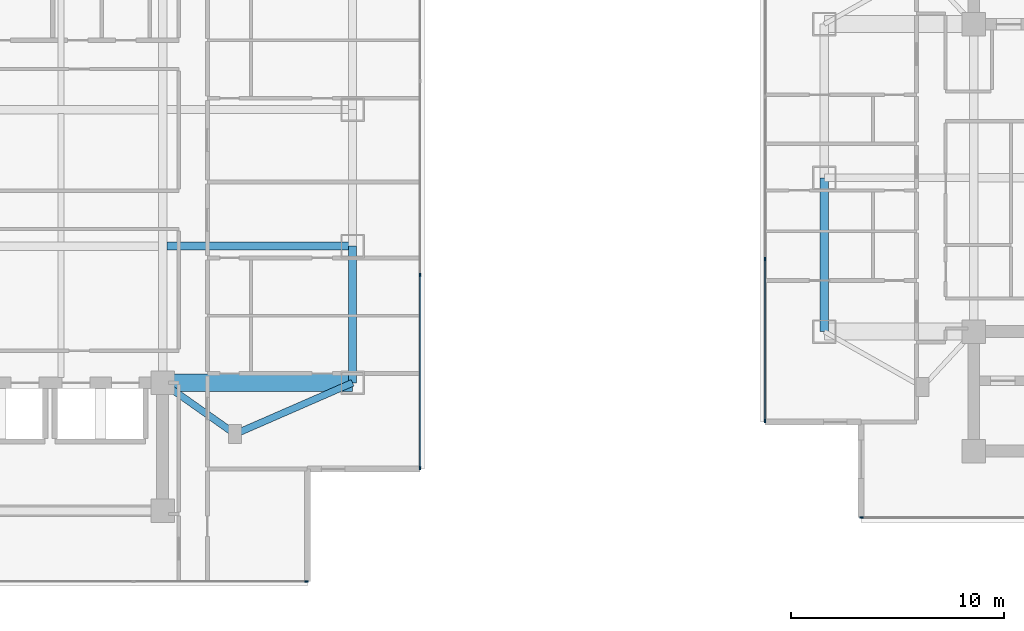
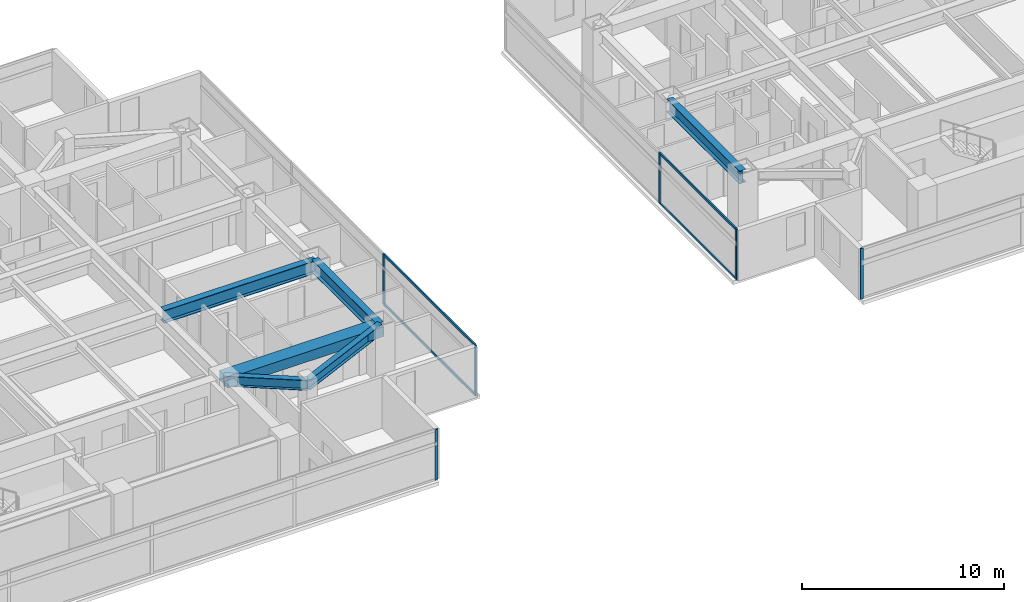
# One storey, part 4 of 24: 10 members, 6 beams, 4 elements without a shape of their own.
"""IFC4 building model written with IfcOpenShell, lengths in metres."""

import ifcopenshell
import ifcopenshell.guid

model = None  # the IFC model being written
_history = None  # IfcOwnerHistory: only IFC2X3 demands one
_inside = {}  # id of a spatial element -> (the spatial element, [elements in it])
_under = {}  # id of a project, library or spatial element -> (it, [spatial elements below it])
_declared = {}  # id of a project -> (the project, [libraries it declares])
_typed = {}  # id of a type object -> (the type object, [elements of that type])
_made_of = {}  # id of a material, layer set ... -> (it, [elements and type objects made of it])


def new_model(schema):
    """Start an empty IFC model of exactly this schema.

    Asked for "IFC4X3", IfcOpenShell would pick the latest addendum, in which some entities
    have other attributes; the version numbers below select the first issue.
    IFC2X3 requires an IfcOwnerHistory on every rooted entity: one is made here for all.
    """
    global model, _history
    if schema == "IFC4X3":
        model = ifcopenshell.file(schema_version=(4, 3, 0, 0))
    else:
        model = ifcopenshell.file(schema=schema)
    _inside.clear()
    _under.clear()
    _declared.clear()
    _typed.clear()
    _made_of.clear()
    _history = None
    if model.schema == "IFC2X3":
        org = make("IfcOrganization", Name="unknown")
        user = make(
            "IfcPersonAndOrganization",
            ThePerson=make("IfcPerson", FamilyName="unknown"),
            TheOrganization=org,
        )
        app = make(
            "IfcApplication",
            ApplicationDeveloper=org,
            Version="unknown",
            ApplicationFullName="unknown",
            ApplicationIdentifier="unknown",
        )
        _history = make(
            "IfcOwnerHistory",
            OwningUser=user,
            OwningApplication=app,
            ChangeAction="ADDED",
            CreationDate=0,
        )
    return model


def make(cls, **values):
    """One entity of the class cls with the attributes given. An attribute that is None is left unset."""
    return model.create_entity(
        cls, **{name: value for name, value in values.items() if value is not None}
    )


def rooted(cls, **values):
    """An entity with a GlobalId (a new one), such as an element, a storey or a relation."""
    return make(cls, GlobalId=ifcopenshell.guid.new(), OwnerHistory=_history, **values)


def si_unit(unit_type, name, prefix=None):
    """IfcSIUnit, for example si_unit("LENGTHUNIT", "METRE", prefix="MILLI")."""
    return make("IfcSIUnit", UnitType=unit_type, Prefix=prefix, Name=name)


def assignment(units):
    """IfcUnitAssignment: the units of a project."""
    return None if units is None else make("IfcUnitAssignment", Units=units)


def point(xyz):
    """IfcCartesianPoint."""
    return None if xyz is None else make("IfcCartesianPoint", Coordinates=xyz)


def direction(xyz):
    """IfcDirection."""
    return None if xyz is None else make("IfcDirection", DirectionRatios=xyz)


def frame(location, z_axis=None, x_axis=None):
    """IfcAxis2Placement3D, a coordinate frame: its origin and axes. An axis left out is left unset."""
    return make(
        "IfcAxis2Placement3D",
        Location=point(location),
        Axis=direction(z_axis),
        RefDirection=direction(x_axis),
    )


def frame_2d(location, x_axis=None):
    """IfcAxis2Placement2D, a coordinate frame in the plane: its origin and x axis."""
    return make(
        "IfcAxis2Placement2D", Location=point(location), RefDirection=direction(x_axis)
    )


def origin():
    """The frame at (0, 0, 0) with its axes left unset."""
    return frame((0.0, 0.0, 0.0))


def origin_2d():
    """The frame at (0, 0) in the plane with its x axis left unset."""
    return frame_2d((0.0, 0.0))


def place(relative_to, where):
    """IfcLocalPlacement: puts the frame where relative to a parent placement (None: the world)."""
    return make(
        "IfcLocalPlacement", PlacementRelTo=relative_to, RelativePlacement=where
    )


def context(
    kind, dimensions, precision=None, world=None, true_north=None, identifier=None
):
    """IfcGeometricRepresentationContext, for example the 3D "Model" context."""
    return make(
        "IfcGeometricRepresentationContext",
        ContextIdentifier=identifier,
        ContextType=kind,
        CoordinateSpaceDimension=dimensions,
        Precision=precision,
        WorldCoordinateSystem=world,
        TrueNorth=true_north,
    )


def subcontext(parent, identifier, kind, view, scale=None):
    """IfcGeometricRepresentationSubContext, for example "Body" below "Model"."""
    return make(
        "IfcGeometricRepresentationSubContext",
        ContextIdentifier=identifier,
        ContextType=kind,
        ParentContext=parent,
        TargetScale=scale,
        TargetView=view,
    )


def project(units=None, contexts=None):
    """IfcProject with its units and contexts."""
    return rooted(
        "IfcProject",
        Name="project",
        RepresentationContexts=contexts,
        UnitsInContext=assignment(units),
    )


def spatial(cls, under=None, at=None, **own):
    """A site, building, storey or space (cls), placed at a placement, below another one or the project."""
    s = rooted(cls, ObjectPlacement=at, **own)
    if under is not None:
        _under.setdefault(under.id(), (under, []))[1].append(s)
    return s


def profile(cls, at=None, kind="AREA", **sizes):
    """A parametric profile (cls). Its sizes go by their IFC names, for example OverallWidth=200.0."""
    return make(cls, ProfileType=kind, Position=at, **sizes)


def rectangle(**sizes):
    """IfcRectangleProfileDef."""
    return profile("IfcRectangleProfileDef", **sizes)


def i_section(**sizes):
    """IfcIShapeProfileDef."""
    return profile("IfcIShapeProfileDef", **sizes)


def extrude(swept, where, along, depth):
    """IfcExtrudedAreaSolid: the profile swept, set in the frame where, extruded along a direction by depth."""
    return make(
        "IfcExtrudedAreaSolid",
        SweptArea=swept,
        Position=where,
        ExtrudedDirection=direction(along),
        Depth=depth,
    )


def shape(context_of_items, identifier, shape_type, items):
    """IfcShapeRepresentation: the items that make up one representation, for example the "Body"."""
    return make(
        "IfcShapeRepresentation",
        ContextOfItems=context_of_items,
        RepresentationIdentifier=identifier,
        RepresentationType=shape_type,
        Items=items,
    )


def material(Name=None, Category=None):
    """IfcMaterial."""
    return make("IfcMaterial", Name=Name, Category=Category)


def material_profile(
    of_material, cross_section, Name=None, Category=None, Priority=None
):
    """IfcMaterialProfile: a cross section and its material."""
    return make(
        "IfcMaterialProfile",
        Name=Name,
        Material=of_material,
        Profile=cross_section,
        Priority=Priority,
        Category=Category,
    )


def profile_set(profiles, Name=None, composite=None):
    """IfcMaterialProfileSet."""
    return make(
        "IfcMaterialProfileSet",
        Name=Name,
        MaterialProfiles=profiles,
        CompositeProfile=composite,
    )


def made_of(thing, what):
    """Note that an element or type object is made of a material, layer set ...; save() writes the relation."""
    if what is not None:
        _made_of.setdefault(what.id(), (what, []))[1].append(thing)
    return thing


def type_object(cls, material=None, **own):
    """A type object (cls), such as IfcWallType, which elements share."""
    return made_of(rooted(cls, **own), material)


def element(
    cls,
    number,
    at=None,
    inside=None,
    cuts=None,
    type_object=None,
    material=None,
    context=None,
    identifier="Body",
    shape_type=None,
    held_by="IfcProductDefinitionShape",
    body=None,
    shapes=None,
    **own,
):
    """One element of the class cls, such as IfcWall. Its Tag is "e" and its number.

    at: its placement. inside: the storey or other place that contains it. cuts: it is an
    opening in that element (IfcRelVoidsElement). A single representation is given by context,
    identifier, shape_type and body (its items); several are given by shapes. held_by: the class
    of the entity that holds the representations. save() writes the other relations.
    """
    e = rooted(cls, Tag="e%d" % number, ObjectPlacement=at, **own)
    if body is not None:
        shapes = [shape(context, identifier, shape_type, body)]
    if shapes is not None:
        e.Representation = make(held_by, Representations=shapes)
    if inside is not None:
        _inside.setdefault(inside.id(), (inside, []))[1].append(e)
    if cuts is not None:
        rooted(
            "IfcRelVoidsElement", RelatingBuildingElement=cuts, RelatedOpeningElement=e
        )
    if type_object is not None:
        _typed.setdefault(type_object.id(), (type_object, []))[1].append(e)
    return made_of(e, material)


def aggregate(whole, parts):
    """IfcRelAggregates: a whole, such as a stair, and the parts it consists of."""
    return rooted("IfcRelAggregates", RelatingObject=whole, RelatedObjects=parts)


def save(model, path):
    """Write the relations noted so far, then the file.

    IfcRelAggregates (storeys below a building ...), IfcRelContainedInSpatialStructure (elements
    in a storey), IfcRelDefinesByType, IfcRelAssociatesMaterial and IfcRelDeclares: one each for
    every whole, place, type object, material and project.
    """
    for whole, parts in _under.values():
        aggregate(whole, parts)
    for where, things in _inside.values():
        rooted(
            "IfcRelContainedInSpatialStructure",
            RelatedElements=things,
            RelatingStructure=where,
        )
    for kind, things in _typed.values():
        rooted("IfcRelDefinesByType", RelatedObjects=things, RelatingType=kind)
    for what, things in _made_of.values():
        rooted("IfcRelAssociatesMaterial", RelatedObjects=things, RelatingMaterial=what)
    for by, libraries in _declared.values():
        rooted("IfcRelDeclares", RelatingContext=by, RelatedDefinitions=libraries)
    model.write(path)


model = new_model("IFC4")

# Units and contexts
model_context = context("Model", 3, precision=1e-05, world=origin(), true_north=direction((0.0, 1.0)))
body_context = subcontext(model_context, "Body", "Model", "MODEL_VIEW")
ifc_project = project(units=[si_unit("LENGTHUNIT", "METRE"), si_unit("AREAUNIT", "SQUARE_METRE"), si_unit("VOLUMEUNIT", "CUBIC_METRE"), si_unit("PLANEANGLEUNIT", "RADIAN"), si_unit("MASSUNIT", "GRAM", prefix="KILO")], contexts=[model_context])

# Site, building, storey
site_placement = place(None, origin())
site = spatial("IfcSite", under=ifc_project, at=site_placement, CompositionType="ELEMENT")
building_placement = place(site_placement, origin())
building = spatial("IfcBuilding", under=site, at=building_placement, Name="Mirazonda Arch Towers", CompositionType="ELEMENT")
storey_placement = place(building_placement, frame((0.0, 0.0, 137.89990234375)))
storey = spatial("IfcBuildingStorey", under=building, at=storey_placement, Name="L39", CompositionType="ELEMENT", Elevation=137.89990234375)

# Beams
ifc_material_1 = material(Name="Steel ASTM A992 Grade 50", Category="steel")
ifc_material_profile_1 = material_profile(ifc_material_1, i_section(OverallWidth=0.381103515625, OverallDepth=0.77294921875, WebThickness=0.0166015625, FlangeThickness=0.027099609375, at=origin_2d()), Name="W30X173")
ifc_profile_set_1 = profile_set([ifc_material_profile_1], Name="Steel ASTM A992 Grade 50")
beam_type_1 = type_object("IfcBeamType", Name="BM-EXT-W30X173", PredefinedType="USERDEFINED", material=ifc_profile_set_1)
beam_1_placement = place(storey_placement, frame((38.89990234375, 18.39990234375, 2.693603515625), z_axis=(0.0, 1.0, 0.0), x_axis=(-1.0, 0.0, 0.0)))
element("IfcBeam", 1, at=beam_1_placement, inside=storey, type_object=beam_type_1, Name="L39 Floor Beam BM-T1-L39-NS-E-18", ObjectType="GIRDER", PredefinedType="USERDEFINED", context=body_context, shape_type="SweptSolid", body=[
    extrude(i_section(OverallWidth=0.381103515625, OverallDepth=0.77294921875, WebThickness=0.0166015625, FlangeThickness=0.027099609375, at=origin_2d()), origin(), (0.0, 0.0, 1.0), 6.400146484375),
])
beam_2_placement = place(storey_placement, frame((61.0, 20.800048828125, 2.693603515625), z_axis=(0.0, 1.0, 0.0), x_axis=(-1.0, 0.0, 0.0)))
element("IfcBeam", 2, at=beam_2_placement, inside=storey, type_object=beam_type_1, Name="L39 Floor Beam BM-T2-L39-NS-W-20", ObjectType="GIRDER", PredefinedType="USERDEFINED", context=body_context, shape_type="SweptSolid", body=[
    extrude(i_section(OverallWidth=0.381103515625, OverallDepth=0.77294921875, WebThickness=0.0166015625, FlangeThickness=0.027099609375, at=origin_2d()), origin(), (0.0, 0.0, 1.0), 7.199951171875),
])
ifc_material_profile_2 = material_profile(ifc_material_1, i_section(OverallWidth=0.324951171875, OverallDepth=0.615966796875, WebThickness=0.013916015625, FlangeThickness=0.021484375, at=origin_2d()), Name="W24X117")
ifc_profile_set_2 = profile_set([ifc_material_profile_2], Name="Steel ASTM A992 Grade 50")
beam_type_2 = type_object("IfcBeamType", Name="BM-INT-W24X117", PredefinedType="BEAM", material=ifc_profile_set_2)
beam_3_placement = place(storey_placement, frame((33.39990234375, 16.0, 2.772216796875), z_axis=(-0.816971114901, 0.576678591087, 0.0), x_axis=(-0.576678591087, -0.816971114901, 0.0)))
element("IfcBeam", 3, at=beam_3_placement, inside=storey, type_object=beam_type_2, Name="L39 Floor Beam BM-T1-L39-PL-SE1", PredefinedType="BEAM", context=body_context, shape_type="SweptSolid", body=[
    extrude(i_section(OverallWidth=0.324951171875, OverallDepth=0.615966796875, WebThickness=0.013916015625, FlangeThickness=0.021484375, at=origin_2d()), origin(), (0.0, 0.0, 1.0), 4.16162109375),
])
beam_4_placement = place(storey_placement, frame((33.39990234375, 16.0, 2.772216796875), z_axis=(0.916545343703, 0.399930785183, 0.0), x_axis=(-0.399930785183, 0.916545343703, 0.0)))
element("IfcBeam", 4, at=beam_4_placement, inside=storey, type_object=beam_type_2, Name="L39 Floor Beam BM-T1-L39-PL-SE2", PredefinedType="BEAM", context=body_context, shape_type="SweptSolid", body=[
    extrude(i_section(OverallWidth=0.324951171875, OverallDepth=0.615966796875, WebThickness=0.013916015625, FlangeThickness=0.021484375, at=origin_2d()), origin(), (0.0, 0.0, 1.0), 6.000732421875),
])
ifc_material_profile_3 = material_profile(ifc_material_1, i_section(OverallWidth=0.381103515625, OverallDepth=0.77294921875, WebThickness=0.0166015625, FlangeThickness=0.027099609375, at=origin_2d()), Name="W30X173")
ifc_profile_set_3 = profile_set([ifc_material_profile_3], Name="Steel ASTM A992 Grade 50")
beam_type_3 = type_object("IfcBeamType", Name="BM-INT-W30X173", PredefinedType="USERDEFINED", material=ifc_profile_set_3)
beam_5_placement = place(storey_placement, frame((30.199951171875, 24.800048828125, 2.693603515625), z_axis=(1.0, 0.0, 0.0), x_axis=(0.0, 1.0, 0.0)))
element("IfcBeam", 5, at=beam_5_placement, inside=storey, type_object=beam_type_3, Name="L39 Floor Beam BM-T1-L39-GE2", ObjectType="GIRDER", PredefinedType="USERDEFINED", context=body_context, shape_type="SweptSolid", body=[
    extrude(i_section(OverallWidth=0.381103515625, OverallDepth=0.77294921875, WebThickness=0.0166015625, FlangeThickness=0.027099609375, at=origin_2d()), origin(), (0.0, 0.0, 1.0), 8.699951171875),
])
ifc_material_2 = material(Name="Concrete C60/75", Category="concrete")
ifc_material_profile_4 = material_profile(ifc_material_2, rectangle(XDim=0.800048828125, YDim=0.60009765625, at=origin_2d()), Name="RCCB800x600")
ifc_profile_set_4 = profile_set([ifc_material_profile_4], Name="Concrete C60/75")
beam_type_4 = type_object("IfcBeamType", Name="CB-INT-RCCB800x600", PredefinedType="SPANDREL", material=ifc_profile_set_4)
beam_6_placement = place(storey_placement, frame((30.0, 18.39990234375, 2.780029296875), z_axis=(1.0, 0.0, 0.0), x_axis=(0.0, 1.0, 0.0)))
element("IfcBeam", 6, at=beam_6_placement, inside=storey, type_object=beam_type_4, Name="L39 Floor Beam CBC-T1-L39-SE", PredefinedType="SPANDREL", context=body_context, shape_type="SweptSolid", body=[
    extrude(rectangle(XDim=0.800048828125, YDim=0.60009765625, at=origin_2d()), origin(), (0.0, 0.0, 1.0), 8.89990234375),
])

# Curtain wall, member
ifc_material_3 = material(Name="Anodised Aluminium and Low-E Glass", Category="aluminium")
curtain_wall_type = type_object("IfcCurtainWallType", Name="CW-HTL-UNIT", PredefinedType="NOTDEFINED", material=ifc_material_3)
curtain_wall_1_placement = place(storey_placement, origin())
curtain_wall_1 = element("IfcCurtainWall", 7, at=curtain_wall_1_placement, inside=storey, type_object=curtain_wall_type, Name="L39 T1 S Facade CW-L39-T1-S", PredefinedType="NOTDEFINED")
ifc_material_4 = material(Name="Anodised Aluminium Alloy", Category="aluminium")
ifc_material_profile_5 = material_profile(ifc_material_4, rectangle(XDim=0.074951171875, YDim=0.1650390625, at=origin_2d()), Name="ALU-MULL-75x165")
ifc_profile_set_5 = profile_set([ifc_material_profile_5], Name="Anodised Aluminium Alloy")
member_type_1 = type_object("IfcMemberType", Name="MULL-CW-HTL-UNIT", PredefinedType="MULLION", material=ifc_profile_set_5)
member_1_placement = place(storey_placement, frame((36.75244140625, 9.092041015625, 0.0), z_axis=(0.0, 0.0, 1.0), x_axis=(0.0, -1.0, 0.0)))
member_1 = element("IfcMember", 8, at=member_1_placement, type_object=member_type_1, Name="CW-112 mullion 1", PredefinedType="MULLION", context=body_context, shape_type="SweptSolid", body=[
    extrude(rectangle(XDim=0.074951171875, YDim=0.1650390625, at=origin_2d()), origin(), (0.0, 0.0, 1.0), 3.06005859375),
])
aggregate(curtain_wall_1, [member_1])

# Curtain wall, members
curtain_wall_2_placement = place(storey_placement, origin())
curtain_wall_2 = element("IfcCurtainWall", 9, at=curtain_wall_2_placement, inside=storey, type_object=curtain_wall_type, Name="L39 T1 E Facade CW-L39-T1-E", PredefinedType="NOTDEFINED")
member_2_placement = place(storey_placement, frame((42.06005859375, 14.3994140625, 0.0), z_axis=(0.0, 0.0, 1.0), x_axis=(-1.0, 0.0, 0.0)))
member_2 = element("IfcMember", 10, at=member_2_placement, type_object=member_type_1, Name="CW-112 mullion 1", PredefinedType="MULLION", context=body_context, shape_type="SweptSolid", body=[
    extrude(rectangle(XDim=0.074951171875, YDim=0.1650390625, at=origin_2d()), origin(), (0.0, 0.0, 1.0), 3.06005859375),
])
member_3_placement = place(storey_placement, frame((42.06005859375, 23.4541015625, 0.0), z_axis=(0.0, 0.0, 1.0), x_axis=(-1.0, 0.0, 0.0)))
member_3 = element("IfcMember", 11, at=member_3_placement, type_object=member_type_1, Name="CW-112 mullion 2", PredefinedType="MULLION", context=body_context, shape_type="SweptSolid", body=[
    extrude(rectangle(XDim=0.074951171875, YDim=0.1650390625, at=origin_2d()), origin(), (0.0, 0.0, 1.0), 3.06005859375),
])

# Curtain wall, member
curtain_wall_3_placement = place(storey_placement, origin())
curtain_wall_3 = element("IfcCurtainWall", 12, at=curtain_wall_3_placement, inside=storey, type_object=curtain_wall_type, Name="L39 T2 S Facade CW-L39-T2-S", PredefinedType="NOTDEFINED")
member_4_placement = place(storey_placement, frame((62.7509765625, 12.081298828125, 0.0), z_axis=(0.0, 0.0, 1.0), x_axis=(0.0, -1.0, 0.0)))
member_4 = element("IfcMember", 13, at=member_4_placement, type_object=member_type_1, Name="CW-112 mullion 4", PredefinedType="MULLION", context=body_context, shape_type="SweptSolid", body=[
    extrude(rectangle(XDim=0.074951171875, YDim=0.1650390625, at=origin_2d()), origin(), (0.0, 0.0, 1.0), 3.06005859375),
])
aggregate(curtain_wall_3, [member_4])

# Curtain wall, members
curtain_wall_4_placement = place(storey_placement, origin())
curtain_wall_4 = element("IfcCurtainWall", 14, at=curtain_wall_4_placement, inside=storey, type_object=curtain_wall_type, Name="L39 T2 W Facade CW-L39-T2-W", PredefinedType="NOTDEFINED")
member_5_placement = place(storey_placement, frame((58.22705078125, 24.189208984375, 0.0), z_axis=(0.0, 0.0, 1.0), x_axis=(1.0, 0.0, 0.0)))
member_5 = element("IfcMember", 15, at=member_5_placement, type_object=member_type_1, Name="CW-112 mullion 3", PredefinedType="MULLION", context=body_context, shape_type="SweptSolid", body=[
    extrude(rectangle(XDim=0.074951171875, YDim=0.1650390625, at=origin_2d()), origin(), (0.0, 0.0, 1.0), 3.06005859375),
])
member_6_placement = place(storey_placement, frame((58.22705078125, 16.605224609375, 0.0), z_axis=(0.0, 0.0, 1.0), x_axis=(1.0, 0.0, 0.0)))
member_6 = element("IfcMember", 16, at=member_6_placement, type_object=member_type_1, Name="CW-112 mullion 4", PredefinedType="MULLION", context=body_context, shape_type="SweptSolid", body=[
    extrude(rectangle(XDim=0.074951171875, YDim=0.1650390625, at=origin_2d()), origin(), (0.0, 0.0, 1.0), 3.06005859375),
])

# Member
ifc_material_profile_6 = material_profile(ifc_material_4, rectangle(XDim=0.074951171875, YDim=0.14501953125, at=origin_2d()), Name="ALU-TRAN-75x145")
ifc_profile_set_6 = profile_set([ifc_material_profile_6], Name="Anodised Aluminium Alloy")
member_type_2 = type_object("IfcMemberType", Name="TRAN-CW-HTL-UNIT", PredefinedType="USERDEFINED", material=ifc_profile_set_6)
member_7_placement = place(storey_placement, frame((42.06005859375, 14.43701171875, 0.03759765625), z_axis=(0.0, 1.0, 0.0), x_axis=(-1.0, 0.0, 0.0)))
member_7 = element("IfcMember", 17, at=member_7_placement, type_object=member_type_2, Name="CW-112 transom 1.1", ObjectType="TRANSOM", PredefinedType="USERDEFINED", context=body_context, shape_type="SweptSolid", body=[
    extrude(rectangle(XDim=0.074951171875, YDim=0.14501953125, at=origin_2d()), origin(), (0.0, 0.0, 1.0), 8.9794921875),
])

member_8_placement = place(storey_placement, frame((42.06005859375, 14.43701171875, 3.022705078125), z_axis=(0.0, 1.0, 0.0), x_axis=(-1.0, 0.0, 0.0)))
member_8 = element("IfcMember", 18, at=member_8_placement, type_object=member_type_2, Name="CW-112 transom 1.2", ObjectType="TRANSOM", PredefinedType="USERDEFINED", context=body_context, shape_type="SweptSolid", body=[
    extrude(rectangle(XDim=0.074951171875, YDim=0.14501953125, at=origin_2d()), origin(), (0.0, 0.0, 1.0), 8.9794921875),
])

aggregate(curtain_wall_2, [member_2, member_3, member_7, member_8])

member_9_placement = place(storey_placement, frame((58.22705078125, 24.151611328125, 0.03759765625), z_axis=(0.0, -1.0, 0.0), x_axis=(1.0, 0.0, 0.0)))
member_9 = element("IfcMember", 19, at=member_9_placement, type_object=member_type_2, Name="CW-112 transom 3.1", ObjectType="TRANSOM", PredefinedType="USERDEFINED", context=body_context, shape_type="SweptSolid", body=[
    extrude(rectangle(XDim=0.074951171875, YDim=0.14501953125, at=origin_2d()), origin(), (0.0, 0.0, 1.0), 7.509033203125),
])

member_10_placement = place(storey_placement, frame((58.22705078125, 24.151611328125, 3.022705078125), z_axis=(0.0, -1.0, 0.0), x_axis=(1.0, 0.0, 0.0)))
member_10 = element("IfcMember", 20, at=member_10_placement, type_object=member_type_2, Name="CW-112 transom 3.2", ObjectType="TRANSOM", PredefinedType="USERDEFINED", context=body_context, shape_type="SweptSolid", body=[
    extrude(rectangle(XDim=0.074951171875, YDim=0.14501953125, at=origin_2d()), origin(), (0.0, 0.0, 1.0), 7.509033203125),
])

aggregate(curtain_wall_4, [member_5, member_6, member_9, member_10])

save(model, "model.ifc")
